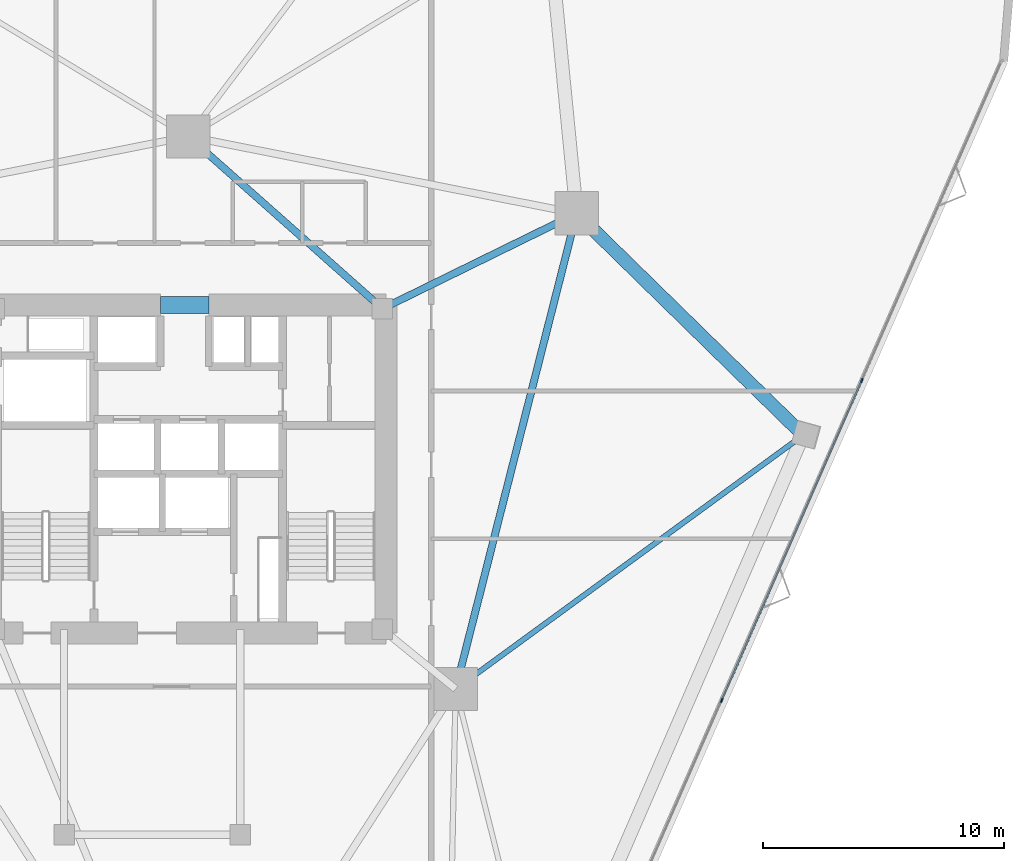
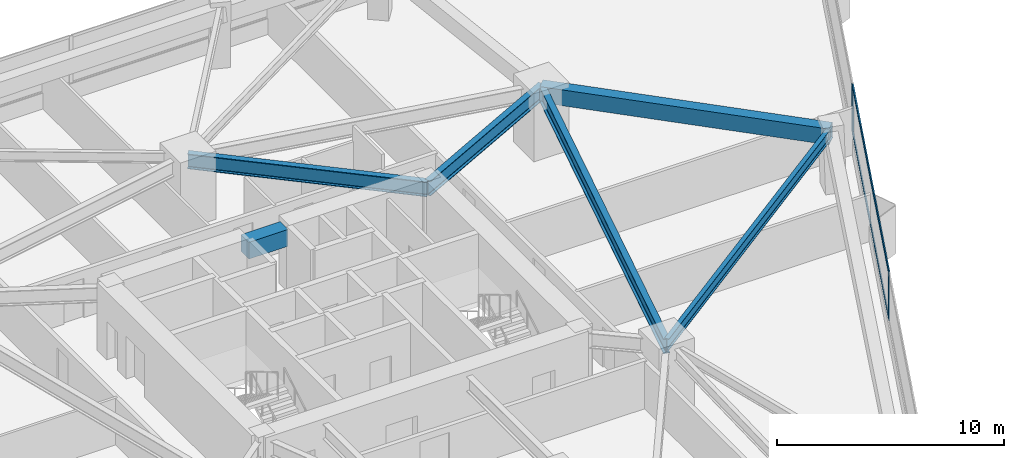
# One storey, part 9 of 20: 6 beams, 4 members, 1 element without a shape of its own.
"""IFC4 building model written with IfcOpenShell, lengths in metres."""

from ifc_helpers import new_model, si_unit, direction, frame, origin, origin_2d, place, context, subcontext, project, spatial, rectangle, i_section, extrude, material, layer, layer_set, material_profile, profile_set, type_object, element, aggregate, save


model = new_model("IFC4")

# Units and contexts
model_context = context("Model", 3, precision=1e-05, world=origin(), true_north=direction((0.0, 1.0)))
body_context = subcontext(model_context, "Body", "Model", "MODEL_VIEW")
ifc_project = project(units=[si_unit("LENGTHUNIT", "METRE"), si_unit("AREAUNIT", "SQUARE_METRE"), si_unit("VOLUMEUNIT", "CUBIC_METRE"), si_unit("PLANEANGLEUNIT", "RADIAN"), si_unit("MASSUNIT", "GRAM", prefix="KILO")], contexts=[model_context])

# Site, building, storey
site_placement = place(None, origin())
site = spatial("IfcSite", under=ifc_project, at=site_placement, CompositionType="ELEMENT")
building_placement = place(site_placement, origin())
building = spatial("IfcBuilding", under=site, at=building_placement, Name="Talyreon Biosciences Tower", CompositionType="ELEMENT")
storey_placement = place(building_placement, frame((0.0, 0.0, 41.050048828125)))
storey = spatial("IfcBuildingStorey", under=building, at=storey_placement, Name="L10", CompositionType="ELEMENT", Elevation=41.050048828125)

# Curtain wall, members
ifc_material_1 = material(Name="Thermally broken aluminium and low-E glazing", Category="aluminium")
ifc_layer = layer(ifc_material_1, 0.195068359375)
ifc_layer_set = layer_set([ifc_layer], Name="Thermally broken aluminium and low-E glazing")
curtain_wall_type = type_object("IfcCurtainWallType", Name="CurtainWall_Zone1WetLab", PredefinedType="NOTDEFINED", material=ifc_layer_set)
curtain_wall_placement = place(storey_placement, origin())
curtain_wall = element("IfcCurtainWall", 1, at=curtain_wall_placement, inside=storey, type_object=curtain_wall_type, Name="L10 Unitised Curtain Wall FCW-L10-08", PredefinedType="NOTDEFINED")
ifc_material_2 = material(Name="Anodised thermally broken aluminium", Category="aluminium")
ifc_material_profile_1 = material_profile(ifc_material_2, rectangle(XDim=0.06494140625, YDim=0.179931640625, at=origin_2d()), Name="ALUM MULLION 65x180")
ifc_profile_set_1 = profile_set([ifc_material_profile_1], Name="Anodised thermally broken aluminium")
member_type_1 = type_object("IfcMemberType", Name="CWMullion_65x180", PredefinedType="MULLION", material=ifc_profile_set_1)
member_1_placement = place(storey_placement, frame((93.9267578125, 71.6708984375, 0.81005859375), z_axis=(0.0, 0.0, 1.0), x_axis=(0.915980408101, -0.401222995321, 0.0)))
member_1 = element("IfcMember", 2, at=member_1_placement, type_object=member_type_1, Name="CW2 mullion 2", PredefinedType="MULLION", context=body_context, shape_type="SweptSolid", body=[
    extrude(rectangle(XDim=0.06494140625, YDim=0.179931640625, at=origin_2d()), origin(), (0.0, 0.0, 1.0), 2.56494140625),
])
member_2_placement = place(storey_placement, frame((88.117431640625, 58.40869140625, 0.81005859375), z_axis=(0.0, 0.0, 1.0), x_axis=(0.915980408101, -0.401222995321, 0.0)))
member_2 = element("IfcMember", 3, at=member_2_placement, type_object=member_type_1, Name="CW2 mullion 3", PredefinedType="MULLION", context=body_context, shape_type="SweptSolid", body=[
    extrude(rectangle(XDim=0.06494140625, YDim=0.179931640625, at=origin_2d()), origin(), (0.0, 0.0, 1.0), 2.56494140625),
])
ifc_material_profile_2 = material_profile(ifc_material_2, rectangle(XDim=0.06494140625, YDim=0.139892578125, at=origin_2d()), Name="ALUM TRANSOM 65x140")
ifc_profile_set_2 = profile_set([ifc_material_profile_2], Name="Anodised thermally broken aluminium")
member_type_2 = type_object("IfcMemberType", Name="CWTransom_65x140", PredefinedType="USERDEFINED", material=ifc_profile_set_2)
member_3_placement = place(storey_placement, frame((93.91357421875, 71.64111328125, 0.842529296875), z_axis=(-0.401215094817, -0.915983868685, 0.0), x_axis=(0.915983868685, -0.401215094817, 0.0)))
member_3 = element("IfcMember", 4, at=member_3_placement, type_object=member_type_2, Name="CW2 transom 2.1", ObjectType="TRANSOM", PredefinedType="USERDEFINED", context=body_context, shape_type="SweptSolid", body=[
    extrude(rectangle(XDim=0.06494140625, YDim=0.139892578125, at=origin_2d()), origin(), (0.0, 0.0, 1.0), 14.41357421875),
])
member_4_placement = place(storey_placement, frame((93.91357421875, 71.64111328125, 3.342529296875), z_axis=(-0.401215094817, -0.915983868685, 0.0), x_axis=(0.915983868685, -0.401215094817, 0.0)))
member_4 = element("IfcMember", 5, at=member_4_placement, type_object=member_type_2, Name="CW2 transom 2.2", ObjectType="TRANSOM", PredefinedType="USERDEFINED", context=body_context, shape_type="SweptSolid", body=[
    extrude(rectangle(XDim=0.06494140625, YDim=0.139892578125, at=origin_2d()), origin(), (0.0, 0.0, 1.0), 14.41357421875),
])
aggregate(curtain_wall, [member_1, member_2, member_3, member_4])

# Beams
ifc_material_3 = material(Name="Concrete C60/75", Category="concrete")
ifc_material_profile_3 = material_profile(ifc_material_3, rectangle(XDim=0.699951171875, YDim=0.89990234375, at=origin_2d()), Name="RCB 700x900")
ifc_profile_set_3 = profile_set([ifc_material_profile_3], Name="Concrete C60/75")
beam_type_1 = type_object("IfcBeamType", Name="CoreCouplingLintel_700x900", PredefinedType="LINTEL", material=ifc_profile_set_3)
beam_1_placement = place(storey_placement, frame((64.85009765625, 74.800048828125, 2.925048828125), z_axis=(1.0, 0.0, 0.0), x_axis=(0.0, 1.0, 0.0)))
element("IfcBeam", 6, at=beam_1_placement, inside=storey, type_object=beam_type_1, Name="L10 Core Coupling Lintel", PredefinedType="LINTEL", context=body_context, shape_type="SweptSolid", body=[
    extrude(rectangle(XDim=0.699951171875, YDim=0.89990234375, at=origin_2d()), origin(), (0.0, 0.0, 1.0), 2.0),
])
ifc_material_4 = material(Name="Precast concrete C45/55", Category="concrete")
ifc_material_profile_4 = material_profile(ifc_material_4, rectangle(XDim=0.550048828125, YDim=0.85009765625, at=origin_2d()), Name="RCB 550x850")
ifc_profile_set_4 = profile_set([ifc_material_profile_4], Name="Precast concrete C45/55")
beam_type_2 = type_object("IfcBeamType", Name="ExpressedSpandrel_550x850", PredefinedType="SPANDREL", material=ifc_profile_set_4)
beam_2_placement = place(storey_placement, frame((91.49853515625, 69.40625, 2.949951171875), z_axis=(-0.714818484381, 0.699310041674, 0.0), x_axis=(-0.699310041674, -0.714818484381, 0.0)))
element("IfcBeam", 7, at=beam_2_placement, inside=storey, type_object=beam_type_2, Name="L10 Expressed Horizontal Concrete Spandrel 04", PredefinedType="SPANDREL", context=body_context, shape_type="SweptSolid", body=[
    extrude(rectangle(XDim=0.550048828125, YDim=0.85009765625, at=origin_2d()), origin(), (0.0, 0.0, 1.0), 13.14501953125),
])
ifc_material_5 = material(Name="Steel SM355", Category="steel")
ifc_material_profile_5 = material_profile(ifc_material_5, i_section(OverallWidth=0.300048828125, OverallDepth=0.800048828125, WebThickness=0.017578125, FlangeThickness=0.032958984375, FilletRadius=0.030029296875, at=origin_2d()), Name="HE800B")
ifc_profile_set_5 = profile_set([ifc_material_profile_5], Name="Steel SM355")
beam_type_3 = type_object("IfcBeamType", Name="SteelGirder_HE800B", PredefinedType="BEAM", material=ifc_profile_set_5)
beam_3_placement = place(storey_placement, frame((77.086181640625, 58.88037109375, 2.974853515625), z_axis=(0.246537082299, 0.969133358755, 0.0), x_axis=(-0.969133358755, 0.246537082299, 0.0)))
element("IfcBeam", 8, at=beam_3_placement, inside=storey, type_object=beam_type_3, Name="L10 Mega-Ring Girder 2", PredefinedType="BEAM", context=body_context, shape_type="SweptSolid", body=[
    extrude(i_section(OverallWidth=0.300048828125, OverallDepth=0.800048828125, WebThickness=0.017578125, FlangeThickness=0.032958984375, FilletRadius=0.030029296875, at=origin_2d()), origin(), (0.0, 0.0, 1.0), 20.34619140625),
])
beam_4_placement = place(storey_placement, frame((74.050048828125, 74.64990234375, 2.974853515625), z_axis=(0.897852360314, 0.440296648952, 0.0), x_axis=(-0.440296648952, 0.897852360314, 0.0)))
element("IfcBeam", 9, at=beam_4_placement, inside=storey, type_object=beam_type_3, Name="L10 Radial Primary Girder 3", PredefinedType="BEAM", context=body_context, shape_type="SweptSolid", body=[
    extrude(i_section(OverallWidth=0.300048828125, OverallDepth=0.800048828125, WebThickness=0.017578125, FlangeThickness=0.032958984375, FilletRadius=0.030029296875, at=origin_2d()), origin(), (0.0, 0.0, 1.0), 8.96826171875),
])
beam_5_placement = place(storey_placement, frame((74.050048828125, 74.64990234375, 2.974853515625), z_axis=(-0.748178733955, 0.663497235908, 0.0), x_axis=(-0.663497235908, -0.748178733955, 0.0)))
element("IfcBeam", 10, at=beam_5_placement, inside=storey, type_object=beam_type_3, Name="L10 Radial Primary Girder 4", PredefinedType="BEAM", context=body_context, shape_type="SweptSolid", body=[
    extrude(i_section(OverallWidth=0.300048828125, OverallDepth=0.800048828125, WebThickness=0.017578125, FlangeThickness=0.032958984375, FilletRadius=0.030029296875, at=origin_2d()), origin(), (0.0, 0.0, 1.0), 10.759521484375),
])
ifc_material_profile_6 = material_profile(ifc_material_5, i_section(OverallWidth=0.219970703125, OverallDepth=0.60009765625, WebThickness=0.011962890625, FlangeThickness=0.01904296875, FilletRadius=0.02392578125, at=origin_2d()), Name="IPE600")
ifc_profile_set_6 = profile_set([ifc_material_profile_6], Name="Steel SM355")
beam_type_4 = type_object("IfcBeamType", Name="SteelJoist_IPE600", PredefinedType="JOIST", material=ifc_profile_set_6)
beam_6_placement = place(storey_placement, frame((77.086181640625, 58.88037109375, 3.074951171875), z_axis=(0.807557265679, 0.589789167965, 0.0), x_axis=(-0.589789167965, 0.807557265679, 0.0)))
element("IfcBeam", 11, at=beam_6_placement, inside=storey, type_object=beam_type_4, Name="L10 Radial Composite Floor Joist PC-SE2", PredefinedType="JOIST", context=body_context, shape_type="SweptSolid", body=[
    extrude(i_section(OverallWidth=0.219970703125, OverallDepth=0.60009765625, WebThickness=0.011962890625, FlangeThickness=0.01904296875, FilletRadius=0.02392578125, at=origin_2d()), origin(), (0.0, 0.0, 1.0), 17.846923828125),
])

save(model, "model.ifc")
